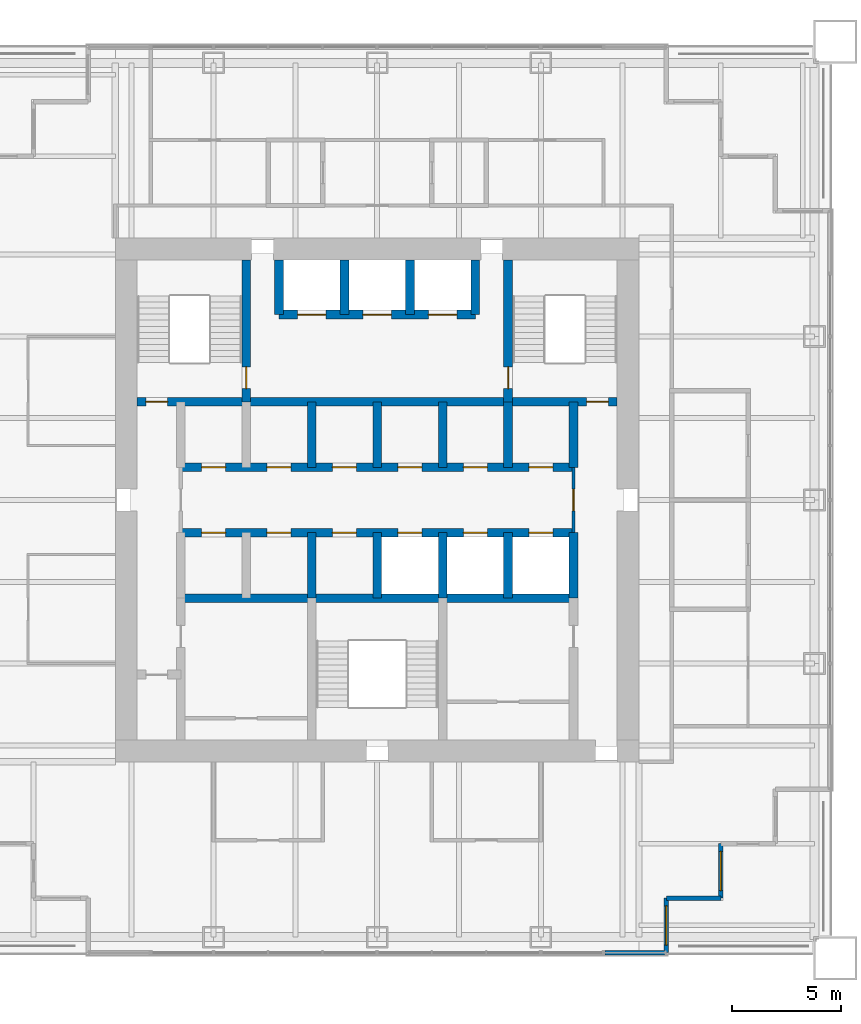
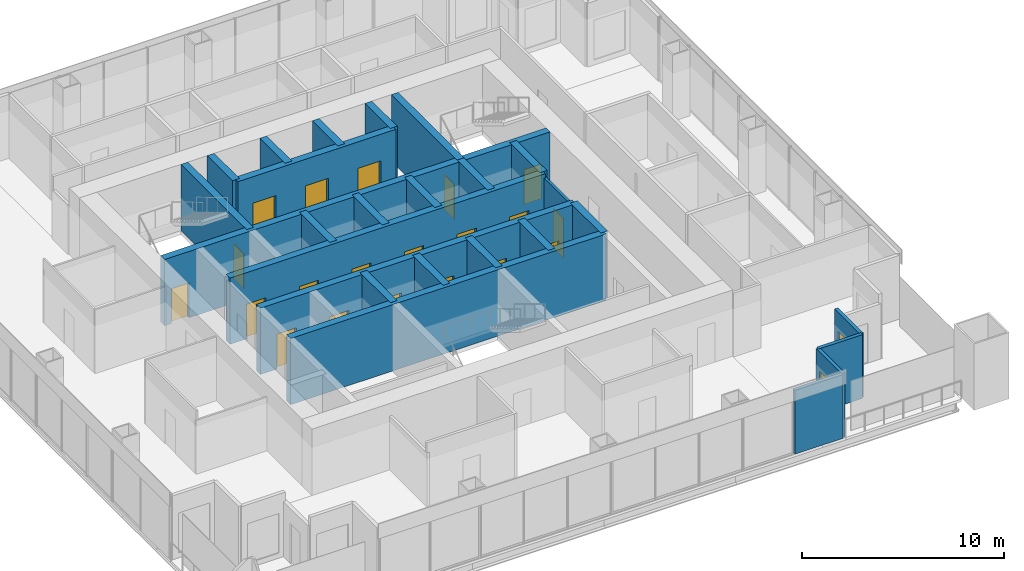
# One storey, part 10 of 14: 26 walls, 20 doors, 2 windows, 22 openings.
"""IFC4 building model written with IfcOpenShell, lengths in metres."""

import ifcopenshell
import ifcopenshell.guid

model = None  # the IFC model being written
_history = None  # IfcOwnerHistory: only IFC2X3 demands one
_inside = {}  # id of a spatial element -> (the spatial element, [elements in it])
_under = {}  # id of a project, library or spatial element -> (it, [spatial elements below it])
_declared = {}  # id of a project -> (the project, [libraries it declares])
_typed = {}  # id of a type object -> (the type object, [elements of that type])
_made_of = {}  # id of a material, layer set ... -> (it, [elements and type objects made of it])


def new_model(schema):
    """Start an empty IFC model of exactly this schema.

    Asked for "IFC4X3", IfcOpenShell would pick the latest addendum, in which some entities
    have other attributes; the version numbers below select the first issue.
    IFC2X3 requires an IfcOwnerHistory on every rooted entity: one is made here for all.
    """
    global model, _history
    if schema == "IFC4X3":
        model = ifcopenshell.file(schema_version=(4, 3, 0, 0))
    else:
        model = ifcopenshell.file(schema=schema)
    _inside.clear()
    _under.clear()
    _declared.clear()
    _typed.clear()
    _made_of.clear()
    _history = None
    if model.schema == "IFC2X3":
        org = make("IfcOrganization", Name="unknown")
        user = make(
            "IfcPersonAndOrganization",
            ThePerson=make("IfcPerson", FamilyName="unknown"),
            TheOrganization=org,
        )
        app = make(
            "IfcApplication",
            ApplicationDeveloper=org,
            Version="unknown",
            ApplicationFullName="unknown",
            ApplicationIdentifier="unknown",
        )
        _history = make(
            "IfcOwnerHistory",
            OwningUser=user,
            OwningApplication=app,
            ChangeAction="ADDED",
            CreationDate=0,
        )
    return model


def make(cls, **values):
    """One entity of the class cls with the attributes given. An attribute that is None is left unset."""
    return model.create_entity(
        cls, **{name: value for name, value in values.items() if value is not None}
    )


def rooted(cls, **values):
    """An entity with a GlobalId (a new one), such as an element, a storey or a relation."""
    return make(cls, GlobalId=ifcopenshell.guid.new(), OwnerHistory=_history, **values)


def si_unit(unit_type, name, prefix=None):
    """IfcSIUnit, for example si_unit("LENGTHUNIT", "METRE", prefix="MILLI")."""
    return make("IfcSIUnit", UnitType=unit_type, Prefix=prefix, Name=name)


def assignment(units):
    """IfcUnitAssignment: the units of a project."""
    return None if units is None else make("IfcUnitAssignment", Units=units)


def point(xyz):
    """IfcCartesianPoint."""
    return None if xyz is None else make("IfcCartesianPoint", Coordinates=xyz)


def direction(xyz):
    """IfcDirection."""
    return None if xyz is None else make("IfcDirection", DirectionRatios=xyz)


def frame(location, z_axis=None, x_axis=None):
    """IfcAxis2Placement3D, a coordinate frame: its origin and axes. An axis left out is left unset."""
    return make(
        "IfcAxis2Placement3D",
        Location=point(location),
        Axis=direction(z_axis),
        RefDirection=direction(x_axis),
    )


def frame_2d(location, x_axis=None):
    """IfcAxis2Placement2D, a coordinate frame in the plane: its origin and x axis."""
    return make(
        "IfcAxis2Placement2D", Location=point(location), RefDirection=direction(x_axis)
    )


def origin():
    """The frame at (0, 0, 0) with its axes left unset."""
    return frame((0.0, 0.0, 0.0))


def place(relative_to, where):
    """IfcLocalPlacement: puts the frame where relative to a parent placement (None: the world)."""
    return make(
        "IfcLocalPlacement", PlacementRelTo=relative_to, RelativePlacement=where
    )


def context(
    kind, dimensions, precision=None, world=None, true_north=None, identifier=None
):
    """IfcGeometricRepresentationContext, for example the 3D "Model" context."""
    return make(
        "IfcGeometricRepresentationContext",
        ContextIdentifier=identifier,
        ContextType=kind,
        CoordinateSpaceDimension=dimensions,
        Precision=precision,
        WorldCoordinateSystem=world,
        TrueNorth=true_north,
    )


def subcontext(parent, identifier, kind, view, scale=None):
    """IfcGeometricRepresentationSubContext, for example "Body" below "Model"."""
    return make(
        "IfcGeometricRepresentationSubContext",
        ContextIdentifier=identifier,
        ContextType=kind,
        ParentContext=parent,
        TargetScale=scale,
        TargetView=view,
    )


def project(units=None, contexts=None):
    """IfcProject with its units and contexts."""
    return rooted(
        "IfcProject",
        Name="project",
        RepresentationContexts=contexts,
        UnitsInContext=assignment(units),
    )


def spatial(cls, under=None, at=None, **own):
    """A site, building, storey or space (cls), placed at a placement, below another one or the project."""
    s = rooted(cls, ObjectPlacement=at, **own)
    if under is not None:
        _under.setdefault(under.id(), (under, []))[1].append(s)
    return s


def profile(cls, at=None, kind="AREA", **sizes):
    """A parametric profile (cls). Its sizes go by their IFC names, for example OverallWidth=200.0."""
    return make(cls, ProfileType=kind, Position=at, **sizes)


def rectangle(**sizes):
    """IfcRectangleProfileDef."""
    return profile("IfcRectangleProfileDef", **sizes)


def extrude(swept, where, along, depth):
    """IfcExtrudedAreaSolid: the profile swept, set in the frame where, extruded along a direction by depth."""
    return make(
        "IfcExtrudedAreaSolid",
        SweptArea=swept,
        Position=where,
        ExtrudedDirection=direction(along),
        Depth=depth,
    )


def shape(context_of_items, identifier, shape_type, items):
    """IfcShapeRepresentation: the items that make up one representation, for example the "Body"."""
    return make(
        "IfcShapeRepresentation",
        ContextOfItems=context_of_items,
        RepresentationIdentifier=identifier,
        RepresentationType=shape_type,
        Items=items,
    )


def material(Name=None, Category=None):
    """IfcMaterial."""
    return make("IfcMaterial", Name=Name, Category=Category)


def layer(
    of_material, thickness, ventilated=None, Name=None, Category=None, Priority=None
):
    """IfcMaterialLayer: one layer of a wall or slab, of a material (None: an air gap)."""
    return make(
        "IfcMaterialLayer",
        Material=of_material,
        LayerThickness=thickness,
        IsVentilated=ventilated,
        Name=Name,
        Category=Category,
        Priority=Priority,
    )


def layer_set(layers, Name=None):
    """IfcMaterialLayerSet."""
    return make("IfcMaterialLayerSet", MaterialLayers=layers, LayerSetName=Name)


def made_of(thing, what):
    """Note that an element or type object is made of a material, layer set ...; save() writes the relation."""
    if what is not None:
        _made_of.setdefault(what.id(), (what, []))[1].append(thing)
    return thing


def type_object(cls, material=None, **own):
    """A type object (cls), such as IfcWallType, which elements share."""
    return made_of(rooted(cls, **own), material)


def element(
    cls,
    number,
    at=None,
    inside=None,
    cuts=None,
    type_object=None,
    material=None,
    context=None,
    identifier="Body",
    shape_type=None,
    held_by="IfcProductDefinitionShape",
    body=None,
    shapes=None,
    **own,
):
    """One element of the class cls, such as IfcWall. Its Tag is "e" and its number.

    at: its placement. inside: the storey or other place that contains it. cuts: it is an
    opening in that element (IfcRelVoidsElement). A single representation is given by context,
    identifier, shape_type and body (its items); several are given by shapes. held_by: the class
    of the entity that holds the representations. save() writes the other relations.
    """
    e = rooted(cls, Tag="e%d" % number, ObjectPlacement=at, **own)
    if body is not None:
        shapes = [shape(context, identifier, shape_type, body)]
    if shapes is not None:
        e.Representation = make(held_by, Representations=shapes)
    if inside is not None:
        _inside.setdefault(inside.id(), (inside, []))[1].append(e)
    if cuts is not None:
        rooted(
            "IfcRelVoidsElement", RelatingBuildingElement=cuts, RelatedOpeningElement=e
        )
    if type_object is not None:
        _typed.setdefault(type_object.id(), (type_object, []))[1].append(e)
    return made_of(e, material)


def fill(opening, filler):
    """IfcRelFillsElement: the door or window that sits in an opening."""
    return rooted(
        "IfcRelFillsElement",
        RelatingOpeningElement=opening,
        RelatedBuildingElement=filler,
    )


def aggregate(whole, parts):
    """IfcRelAggregates: a whole, such as a stair, and the parts it consists of."""
    return rooted("IfcRelAggregates", RelatingObject=whole, RelatedObjects=parts)


def save(model, path):
    """Write the relations noted so far, then the file.

    IfcRelAggregates (storeys below a building ...), IfcRelContainedInSpatialStructure (elements
    in a storey), IfcRelDefinesByType, IfcRelAssociatesMaterial and IfcRelDeclares: one each for
    every whole, place, type object, material and project.
    """
    for whole, parts in _under.values():
        aggregate(whole, parts)
    for where, things in _inside.values():
        rooted(
            "IfcRelContainedInSpatialStructure",
            RelatedElements=things,
            RelatingStructure=where,
        )
    for kind, things in _typed.values():
        rooted("IfcRelDefinesByType", RelatedObjects=things, RelatingType=kind)
    for what, things in _made_of.values():
        rooted("IfcRelAssociatesMaterial", RelatedObjects=things, RelatingMaterial=what)
    for by, libraries in _declared.values():
        rooted("IfcRelDeclares", RelatingContext=by, RelatedDefinitions=libraries)
    model.write(path)


model = new_model("IFC4")

# Units and contexts
model_context = context("Model", 3, precision=1e-05, world=origin(), true_north=direction((0.0, 1.0)))
body_context = subcontext(model_context, "Body", "Model", "MODEL_VIEW")
ifc_project = project(units=[si_unit("LENGTHUNIT", "METRE"), si_unit("AREAUNIT", "SQUARE_METRE"), si_unit("VOLUMEUNIT", "CUBIC_METRE"), si_unit("PLANEANGLEUNIT", "RADIAN"), si_unit("MASSUNIT", "GRAM", prefix="KILO")], contexts=[model_context])

# Site, building, storey
site_placement = place(None, origin())
site = spatial("IfcSite", under=ifc_project, at=site_placement, CompositionType="ELEMENT")
building_placement = place(site_placement, origin())
building = spatial("IfcBuilding", under=site, at=building_placement, Name="Tarangal Relay Tower", CompositionType="ELEMENT")
storey_placement = place(building_placement, frame((0.0, 0.0, 327.89990234375)))
storey = spatial("IfcBuildingStorey", under=building, at=storey_placement, Name="L73", CompositionType="ELEMENT", Elevation=327.89990234375)

# Wall, openings, doors
ifc_material_1 = material(Name="Concrete fc' 60 MPa", Category="concrete")
ifc_layer_1 = layer(ifc_material_1, 0.39990234375)
ifc_layer_set_1 = layer_set([ifc_layer_1], Name="Core inner wall 400")
wall_type_1 = type_object("IfcWallType", Name="Core inner wall 400", PredefinedType="SHEAR", material=ifc_layer_set_1)
wall_1_placement = place(storey_placement, frame((-11.0, 4.5, 0.0), z_axis=(0.0, 0.0, 1.0), x_axis=(1.0, 0.0, 0.0)))
wall_1 = element("IfcWall", 1, at=wall_1_placement, inside=storey, type_object=wall_type_1, Name="Core wall Y45 L73", PredefinedType="SHEAR", context=body_context, shape_type="SweptSolid", body=[
    extrude(rectangle(XDim=22.0, YDim=0.39990234375, at=frame_2d((11.0, 0.0))), origin(), (0.0, 0.0, 1.0), 4.0),
])
opening_1_placement = place(wall_1_placement, frame((0.39990234375, 0.0, 0.0)))
opening_1 = element("IfcOpeningElement", 2, at=opening_1_placement, cuts=wall_1, Name="Opening FD1", PredefinedType="OPENING", context=body_context, shape_type="SweptSolid", body=[
    extrude(rectangle(XDim=1.0, YDim=2.10009765625, at=frame_2d((0.5, 1.050048828125))), frame((0.0, 0.2099609375, 0.0), z_axis=(0.0, -1.0, 0.0), x_axis=(1.0, 0.0, 0.0)), (0.0, 0.0, 1.0), 0.419921875),
])
opening_2_placement = place(wall_1_placement, frame((20.60009765625, 0.0, 0.0)))
opening_2 = element("IfcOpeningElement", 3, at=opening_2_placement, cuts=wall_1, Name="Opening FD1", PredefinedType="OPENING", context=body_context, shape_type="SweptSolid", body=[
    extrude(rectangle(XDim=1.0, YDim=2.10009765625, at=frame_2d((0.5, 1.050048828125))), frame((0.0, 0.2099609375, 0.0), z_axis=(0.0, -1.0, 0.0), x_axis=(1.0, 0.0, 0.0)), (0.0, 0.0, 1.0), 0.419921875),
])
ifc_material_2 = material(Name="Steel door with hardwood frame", Category="steel")
door_type_1 = type_object("IfcDoorType", Name="Fire door 1000 x 2100", OperationType="SINGLE_SWING_LEFT", PredefinedType="DOOR", material=ifc_material_2)
door_1_placement = place(opening_1_placement, origin())
door_1 = element("IfcDoor", 4, at=door_1_placement, inside=storey, type_object=door_type_1, Name="Stair ST-A door from corridor L73", OperationType="SINGLE_SWING_LEFT", OverallHeight=2.10009765625, OverallWidth=1.0, PredefinedType="DOOR", context=body_context, shape_type="SweptSolid", body=[
    extrude(rectangle(XDim=1.0, YDim=2.10009765625, at=frame_2d((0.5, 1.050048828125))), frame((0.0, 0.02490234375, 0.0), z_axis=(0.0, -1.0, 0.0), x_axis=(1.0, 0.0, 0.0)), (0.0, 0.0, 1.0), 0.050048828125),
])
fill(opening_1, door_1)
door_2_placement = place(opening_2_placement, origin())
door_2 = element("IfcDoor", 5, at=door_2_placement, inside=storey, type_object=door_type_1, Name="Stair ST-B door from corridor L73", OperationType="SINGLE_SWING_LEFT", OverallHeight=2.10009765625, OverallWidth=1.0, PredefinedType="DOOR", context=body_context, shape_type="SweptSolid", body=[
    extrude(rectangle(XDim=1.0, YDim=2.10009765625, at=frame_2d((0.5, 1.050048828125))), frame((0.0, 0.02490234375, 0.0), z_axis=(0.0, -1.0, 0.0), x_axis=(1.0, 0.0, 0.0)), (0.0, 0.0, 1.0), 0.050048828125),
])
fill(opening_2, door_2)

wall_2_placement = place(storey_placement, frame((-9.0, 1.5, 0.0), z_axis=(0.0, 0.0, 1.0), x_axis=(1.0, 0.0, 0.0)))
wall_2 = element("IfcWall", 6, at=wall_2_placement, inside=storey, type_object=wall_type_1, Name="Core wall Y15 L73", PredefinedType="SHEAR", context=body_context, shape_type="SweptSolid", body=[
    extrude(rectangle(XDim=18.0, YDim=0.39990234375, at=frame_2d((9.0, 0.0))), origin(), (0.0, 0.0, 1.0), 4.0),
])
opening_3_placement = place(wall_2_placement, frame((0.949951171875, 0.0, 0.0)))
opening_3 = element("IfcOpeningElement", 7, at=opening_3_placement, cuts=wall_2, Name="Opening D4", PredefinedType="OPENING", context=body_context, shape_type="SweptSolid", body=[
    extrude(rectangle(XDim=1.10009765625, YDim=2.10009765625, at=frame_2d((0.550048828125, 1.050048828125))), frame((0.0, 0.2099609375, 0.0), z_axis=(0.0, -1.0, 0.0), x_axis=(1.0, 0.0, 0.0)), (0.0, 0.0, 1.0), 0.419921875),
])
opening_4_placement = place(wall_2_placement, frame((3.949951171875, 0.0, 0.0)))
opening_4 = element("IfcOpeningElement", 8, at=opening_4_placement, cuts=wall_2, Name="Opening D4", PredefinedType="OPENING", context=body_context, shape_type="SweptSolid", body=[
    extrude(rectangle(XDim=1.10009765625, YDim=2.10009765625, at=frame_2d((0.550048828125, 1.050048828125))), frame((0.0, 0.2099609375, 0.0), z_axis=(0.0, -1.0, 0.0), x_axis=(1.0, 0.0, 0.0)), (0.0, 0.0, 1.0), 0.419921875),
])
opening_5_placement = place(wall_2_placement, frame((6.949951171875, 0.0, 0.0)))
opening_5 = element("IfcOpeningElement", 9, at=opening_5_placement, cuts=wall_2, Name="Opening D4", PredefinedType="OPENING", context=body_context, shape_type="SweptSolid", body=[
    extrude(rectangle(XDim=1.10009765625, YDim=2.10009765625, at=frame_2d((0.550048828125, 1.050048828125))), frame((0.0, 0.2099609375, 0.0), z_axis=(0.0, -1.0, 0.0), x_axis=(1.0, 0.0, 0.0)), (0.0, 0.0, 1.0), 0.419921875),
])
opening_6_placement = place(wall_2_placement, frame((9.949951171875, 0.0, 0.0)))
opening_6 = element("IfcOpeningElement", 10, at=opening_6_placement, cuts=wall_2, Name="Opening D4", PredefinedType="OPENING", context=body_context, shape_type="SweptSolid", body=[
    extrude(rectangle(XDim=1.10009765625, YDim=2.10009765625, at=frame_2d((0.550048828125, 1.050048828125))), frame((0.0, 0.2099609375, 0.0), z_axis=(0.0, -1.0, 0.0), x_axis=(1.0, 0.0, 0.0)), (0.0, 0.0, 1.0), 0.419921875),
])
opening_7_placement = place(wall_2_placement, frame((12.949951171875, 0.0, 0.0)))
opening_7 = element("IfcOpeningElement", 11, at=opening_7_placement, cuts=wall_2, Name="Opening D4", PredefinedType="OPENING", context=body_context, shape_type="SweptSolid", body=[
    extrude(rectangle(XDim=1.10009765625, YDim=2.10009765625, at=frame_2d((0.550048828125, 1.050048828125))), frame((0.0, 0.2099609375, 0.0), z_axis=(0.0, -1.0, 0.0), x_axis=(1.0, 0.0, 0.0)), (0.0, 0.0, 1.0), 0.419921875),
])
opening_8_placement = place(wall_2_placement, frame((15.949951171875, 0.0, 0.0)))
opening_8 = element("IfcOpeningElement", 12, at=opening_8_placement, cuts=wall_2, Name="Opening D4", PredefinedType="OPENING", context=body_context, shape_type="SweptSolid", body=[
    extrude(rectangle(XDim=1.10009765625, YDim=2.10009765625, at=frame_2d((0.550048828125, 1.050048828125))), frame((0.0, 0.2099609375, 0.0), z_axis=(0.0, -1.0, 0.0), x_axis=(1.0, 0.0, 0.0)), (0.0, 0.0, 1.0), 0.419921875),
])
door_type_2 = type_object("IfcDoorType", Name="Core room door 1100 x 2100", OperationType="SINGLE_SWING_RIGHT", PredefinedType="DOOR", material=ifc_material_2)
door_3_placement = place(opening_3_placement, origin())
door_3 = element("IfcDoor", 13, at=door_3_placement, inside=storey, type_object=door_type_2, Name="Door D4 to staff wc L73-D1", OperationType="SINGLE_SWING_RIGHT", OverallHeight=2.10009765625, OverallWidth=1.10009765625, PredefinedType="DOOR", context=body_context, shape_type="SweptSolid", body=[
    extrude(rectangle(XDim=1.10009765625, YDim=2.10009765625, at=frame_2d((0.550048828125, 1.050048828125))), frame((0.0, 0.02490234375, 0.0), z_axis=(0.0, -1.0, 0.0), x_axis=(1.0, 0.0, 0.0)), (0.0, 0.0, 1.0), 0.050048828125),
])
fill(opening_3, door_3)
door_4_placement = place(opening_4_placement, origin())
door_4 = element("IfcDoor", 14, at=door_4_placement, inside=storey, type_object=door_type_2, Name="Door D4 to staff pantry L73-D2", OperationType="SINGLE_SWING_RIGHT", OverallHeight=2.10009765625, OverallWidth=1.10009765625, PredefinedType="DOOR", context=body_context, shape_type="SweptSolid", body=[
    extrude(rectangle(XDim=1.10009765625, YDim=2.10009765625, at=frame_2d((0.550048828125, 1.050048828125))), frame((0.0, 0.02490234375, 0.0), z_axis=(0.0, -1.0, 0.0), x_axis=(1.0, 0.0, 0.0)), (0.0, 0.0, 1.0), 0.050048828125),
])
fill(opening_4, door_4)
door_5_placement = place(opening_5_placement, origin())
door_5 = element("IfcDoor", 15, at=door_5_placement, inside=storey, type_object=door_type_2, Name="Door D4 to it room L73-D3", OperationType="SINGLE_SWING_RIGHT", OverallHeight=2.10009765625, OverallWidth=1.10009765625, PredefinedType="DOOR", context=body_context, shape_type="SweptSolid", body=[
    extrude(rectangle(XDim=1.10009765625, YDim=2.10009765625, at=frame_2d((0.550048828125, 1.050048828125))), frame((0.0, 0.02490234375, 0.0), z_axis=(0.0, -1.0, 0.0), x_axis=(1.0, 0.0, 0.0)), (0.0, 0.0, 1.0), 0.050048828125),
])
fill(opening_5, door_5)
door_6_placement = place(opening_6_placement, origin())
door_6 = element("IfcDoor", 16, at=door_6_placement, inside=storey, type_object=door_type_2, Name="Door D4 to cleaner's store L73-T1", OperationType="SINGLE_SWING_RIGHT", OverallHeight=2.10009765625, OverallWidth=1.10009765625, PredefinedType="DOOR", context=body_context, shape_type="SweptSolid", body=[
    extrude(rectangle(XDim=1.10009765625, YDim=2.10009765625, at=frame_2d((0.550048828125, 1.050048828125))), frame((0.0, 0.02490234375, 0.0), z_axis=(0.0, -1.0, 0.0), x_axis=(1.0, 0.0, 0.0)), (0.0, 0.0, 1.0), 0.050048828125),
])
fill(opening_6, door_6)
door_7_placement = place(opening_7_placement, origin())
door_7 = element("IfcDoor", 17, at=door_7_placement, inside=storey, type_object=door_type_2, Name="Door D4 to staff wc L73-T2", OperationType="SINGLE_SWING_RIGHT", OverallHeight=2.10009765625, OverallWidth=1.10009765625, PredefinedType="DOOR", context=body_context, shape_type="SweptSolid", body=[
    extrude(rectangle(XDim=1.10009765625, YDim=2.10009765625, at=frame_2d((0.550048828125, 1.050048828125))), frame((0.0, 0.02490234375, 0.0), z_axis=(0.0, -1.0, 0.0), x_axis=(1.0, 0.0, 0.0)), (0.0, 0.0, 1.0), 0.050048828125),
])
fill(opening_7, door_7)
door_8_placement = place(opening_8_placement, origin())
door_8 = element("IfcDoor", 18, at=door_8_placement, inside=storey, type_object=door_type_2, Name="Door D4 to staff pantry L73-T3", OperationType="SINGLE_SWING_RIGHT", OverallHeight=2.10009765625, OverallWidth=1.10009765625, PredefinedType="DOOR", context=body_context, shape_type="SweptSolid", body=[
    extrude(rectangle(XDim=1.10009765625, YDim=2.10009765625, at=frame_2d((0.550048828125, 1.050048828125))), frame((0.0, 0.02490234375, 0.0), z_axis=(0.0, -1.0, 0.0), x_axis=(1.0, 0.0, 0.0)), (0.0, 0.0, 1.0), 0.050048828125),
])
fill(opening_8, door_8)

wall_3_placement = place(storey_placement, frame((-9.0, -1.5, 0.0), z_axis=(0.0, 0.0, 1.0), x_axis=(1.0, 0.0, 0.0)))
wall_3 = element("IfcWall", 19, at=wall_3_placement, inside=storey, type_object=wall_type_1, Name="Core wall YM15 L73", PredefinedType="SHEAR", context=body_context, shape_type="SweptSolid", body=[
    extrude(rectangle(XDim=18.0, YDim=0.39990234375, at=frame_2d((9.0, 0.0))), origin(), (0.0, 0.0, 1.0), 4.0),
])
opening_9_placement = place(wall_3_placement, frame((9.949951171875, 0.0, 0.0)))
opening_9 = element("IfcOpeningElement", 20, at=opening_9_placement, cuts=wall_3, Name="Opening LD1", PredefinedType="OPENING", context=body_context, shape_type="SweptSolid", body=[
    extrude(rectangle(XDim=1.10009765625, YDim=2.10009765625, at=frame_2d((0.550048828125, 1.050048828125))), frame((0.0, 0.2099609375, 0.0), z_axis=(0.0, -1.0, 0.0), x_axis=(1.0, 0.0, 0.0)), (0.0, 0.0, 1.0), 0.419921875),
])
opening_10_placement = place(wall_3_placement, frame((12.949951171875, 0.0, 0.0)))
opening_10 = element("IfcOpeningElement", 21, at=opening_10_placement, cuts=wall_3, Name="Opening LD1", PredefinedType="OPENING", context=body_context, shape_type="SweptSolid", body=[
    extrude(rectangle(XDim=1.10009765625, YDim=2.10009765625, at=frame_2d((0.550048828125, 1.050048828125))), frame((0.0, 0.2099609375, 0.0), z_axis=(0.0, -1.0, 0.0), x_axis=(1.0, 0.0, 0.0)), (0.0, 0.0, 1.0), 0.419921875),
])
opening_11_placement = place(wall_3_placement, frame((15.949951171875, 0.0, 0.0)))
opening_11 = element("IfcOpeningElement", 22, at=opening_11_placement, cuts=wall_3, Name="Opening LD1", PredefinedType="OPENING", context=body_context, shape_type="SweptSolid", body=[
    extrude(rectangle(XDim=1.10009765625, YDim=2.10009765625, at=frame_2d((0.550048828125, 1.050048828125))), frame((0.0, 0.2099609375, 0.0), z_axis=(0.0, -1.0, 0.0), x_axis=(1.0, 0.0, 0.0)), (0.0, 0.0, 1.0), 0.419921875),
])
opening_12_placement = place(wall_3_placement, frame((0.949951171875, 0.0, 0.0)))
opening_12 = element("IfcOpeningElement", 23, at=opening_12_placement, cuts=wall_3, Name="Opening D4", PredefinedType="OPENING", context=body_context, shape_type="SweptSolid", body=[
    extrude(rectangle(XDim=1.10009765625, YDim=2.10009765625, at=frame_2d((0.550048828125, 1.050048828125))), frame((0.0, 0.2099609375, 0.0), z_axis=(0.0, -1.0, 0.0), x_axis=(1.0, 0.0, 0.0)), (0.0, 0.0, 1.0), 0.419921875),
])
opening_13_placement = place(wall_3_placement, frame((3.949951171875, 0.0, 0.0)))
opening_13 = element("IfcOpeningElement", 24, at=opening_13_placement, cuts=wall_3, Name="Opening D4", PredefinedType="OPENING", context=body_context, shape_type="SweptSolid", body=[
    extrude(rectangle(XDim=1.10009765625, YDim=2.10009765625, at=frame_2d((0.550048828125, 1.050048828125))), frame((0.0, 0.2099609375, 0.0), z_axis=(0.0, -1.0, 0.0), x_axis=(1.0, 0.0, 0.0)), (0.0, 0.0, 1.0), 0.419921875),
])
opening_14_placement = place(wall_3_placement, frame((6.949951171875, 0.0, 0.0)))
opening_14 = element("IfcOpeningElement", 25, at=opening_14_placement, cuts=wall_3, Name="Opening D4", PredefinedType="OPENING", context=body_context, shape_type="SweptSolid", body=[
    extrude(rectangle(XDim=1.10009765625, YDim=2.10009765625, at=frame_2d((0.550048828125, 1.050048828125))), frame((0.0, 0.2099609375, 0.0), z_axis=(0.0, -1.0, 0.0), x_axis=(1.0, 0.0, 0.0)), (0.0, 0.0, 1.0), 0.419921875),
])
door_9_placement = place(opening_12_placement, origin())
door_9 = element("IfcDoor", 26, at=door_9_placement, inside=storey, type_object=door_type_2, Name="Door D4 to it room L73-S1", OperationType="SINGLE_SWING_RIGHT", OverallHeight=2.10009765625, OverallWidth=1.10009765625, PredefinedType="DOOR", context=body_context, shape_type="SweptSolid", body=[
    extrude(rectangle(XDim=1.10009765625, YDim=2.10009765625, at=frame_2d((0.550048828125, 1.050048828125))), frame((0.0, 0.02490234375, 0.0), z_axis=(0.0, -1.0, 0.0), x_axis=(1.0, 0.0, 0.0)), (0.0, 0.0, 1.0), 0.050048828125),
])
fill(opening_12, door_9)
door_10_placement = place(opening_13_placement, origin())
door_10 = element("IfcDoor", 27, at=door_10_placement, inside=storey, type_object=door_type_2, Name="Door D4 to cleaner's store L73-S2", OperationType="SINGLE_SWING_RIGHT", OverallHeight=2.10009765625, OverallWidth=1.10009765625, PredefinedType="DOOR", context=body_context, shape_type="SweptSolid", body=[
    extrude(rectangle(XDim=1.10009765625, YDim=2.10009765625, at=frame_2d((0.550048828125, 1.050048828125))), frame((0.0, 0.02490234375, 0.0), z_axis=(0.0, -1.0, 0.0), x_axis=(1.0, 0.0, 0.0)), (0.0, 0.0, 1.0), 0.050048828125),
])
fill(opening_13, door_10)
door_11_placement = place(opening_14_placement, origin())
door_11 = element("IfcDoor", 28, at=door_11_placement, inside=storey, type_object=door_type_2, Name="Door D4 to staff wc L73-S3", OperationType="SINGLE_SWING_RIGHT", OverallHeight=2.10009765625, OverallWidth=1.10009765625, PredefinedType="DOOR", context=body_context, shape_type="SweptSolid", body=[
    extrude(rectangle(XDim=1.10009765625, YDim=2.10009765625, at=frame_2d((0.550048828125, 1.050048828125))), frame((0.0, 0.02490234375, 0.0), z_axis=(0.0, -1.0, 0.0), x_axis=(1.0, 0.0, 0.0)), (0.0, 0.0, 1.0), 0.050048828125),
])
fill(opening_14, door_11)
door_type_3 = type_object("IfcDoorType", Name="Lift landing door 1100 x 2100", OperationType="SLIDING_TO_LEFT", PredefinedType="DOOR", material=ifc_material_2)
door_12_placement = place(opening_9_placement, origin())
door_12 = element("IfcDoor", 29, at=door_12_placement, inside=storey, type_object=door_type_3, Name="Lift OH1 landing door L73", OperationType="SLIDING_TO_LEFT", OverallHeight=2.10009765625, OverallWidth=1.10009765625, PredefinedType="DOOR", context=body_context, shape_type="SweptSolid", body=[
    extrude(rectangle(XDim=1.10009765625, YDim=2.10009765625, at=frame_2d((0.550048828125, 1.050048828125))), frame((0.0, 0.02490234375, 0.0), z_axis=(0.0, -1.0, 0.0), x_axis=(1.0, 0.0, 0.0)), (0.0, 0.0, 1.0), 0.050048828125),
])
fill(opening_9, door_12)
door_13_placement = place(opening_10_placement, origin())
door_13 = element("IfcDoor", 30, at=door_13_placement, inside=storey, type_object=door_type_3, Name="Lift OH2 landing door L73", OperationType="SLIDING_TO_LEFT", OverallHeight=2.10009765625, OverallWidth=1.10009765625, PredefinedType="DOOR", context=body_context, shape_type="SweptSolid", body=[
    extrude(rectangle(XDim=1.10009765625, YDim=2.10009765625, at=frame_2d((0.550048828125, 1.050048828125))), frame((0.0, 0.02490234375, 0.0), z_axis=(0.0, -1.0, 0.0), x_axis=(1.0, 0.0, 0.0)), (0.0, 0.0, 1.0), 0.050048828125),
])
fill(opening_10, door_13)
door_14_placement = place(opening_11_placement, origin())
door_14 = element("IfcDoor", 31, at=door_14_placement, inside=storey, type_object=door_type_3, Name="Lift OH3 landing door L73", OperationType="SLIDING_TO_LEFT", OverallHeight=2.10009765625, OverallWidth=1.10009765625, PredefinedType="DOOR", context=body_context, shape_type="SweptSolid", body=[
    extrude(rectangle(XDim=1.10009765625, YDim=2.10009765625, at=frame_2d((0.550048828125, 1.050048828125))), frame((0.0, 0.02490234375, 0.0), z_axis=(0.0, -1.0, 0.0), x_axis=(1.0, 0.0, 0.0)), (0.0, 0.0, 1.0), 0.050048828125),
])
fill(opening_11, door_14)

# Wall
wall_4_placement = place(storey_placement, frame((-9.0, -4.5, 0.0), z_axis=(0.0, 0.0, 1.0), x_axis=(1.0, 0.0, 0.0)))
element("IfcWall", 32, at=wall_4_placement, inside=storey, type_object=wall_type_1, Name="Core wall YM45 L73", PredefinedType="SHEAR", context=body_context, shape_type="SweptSolid", body=[
    extrude(rectangle(XDim=18.0, YDim=0.39990234375, at=frame_2d((9.0, 0.0))), origin(), (0.0, 0.0, 1.0), 4.0),
])

# Wall, openings, doors
wall_5_placement = place(storey_placement, frame((-4.5, 8.5, 0.0), z_axis=(0.0, 0.0, 1.0), x_axis=(1.0, 0.0, 0.0)))
wall_5 = element("IfcWall", 33, at=wall_5_placement, inside=storey, type_object=wall_type_1, Name="Core wall Y85 L73", PredefinedType="SHEAR", context=body_context, shape_type="SweptSolid", body=[
    extrude(rectangle(XDim=9.0, YDim=0.39990234375, at=frame_2d((4.5, 0.0))), origin(), (0.0, 0.0, 1.0), 4.0),
])
opening_15_placement = place(wall_5_placement, frame((0.85009765625, 0.0, 0.0)))
opening_15 = element("IfcOpeningElement", 34, at=opening_15_placement, cuts=wall_5, Name="Opening LD2", PredefinedType="OPENING", context=body_context, shape_type="SweptSolid", body=[
    extrude(rectangle(XDim=1.300048828125, YDim=2.39990234375, at=frame_2d((0.64990234375, 1.199951171875))), frame((0.0, 0.2099609375, 0.0), z_axis=(0.0, -1.0, 0.0), x_axis=(1.0, 0.0, 0.0)), (0.0, 0.0, 1.0), 0.419921875),
])
opening_16_placement = place(wall_5_placement, frame((6.85009765625, 0.0, 0.0)))
opening_16 = element("IfcOpeningElement", 35, at=opening_16_placement, cuts=wall_5, Name="Opening LD2", PredefinedType="OPENING", context=body_context, shape_type="SweptSolid", body=[
    extrude(rectangle(XDim=1.300048828125, YDim=2.39990234375, at=frame_2d((0.64990234375, 1.199951171875))), frame((0.0, 0.2099609375, 0.0), z_axis=(0.0, -1.0, 0.0), x_axis=(1.0, 0.0, 0.0)), (0.0, 0.0, 1.0), 0.419921875),
])
opening_17_placement = place(wall_5_placement, frame((3.85009765625, 0.0, 0.0)))
opening_17 = element("IfcOpeningElement", 36, at=opening_17_placement, cuts=wall_5, Name="Opening LD2", PredefinedType="OPENING", context=body_context, shape_type="SweptSolid", body=[
    extrude(rectangle(XDim=1.300048828125, YDim=2.39990234375, at=frame_2d((0.64990234375, 1.199951171875))), frame((0.0, 0.2099609375, 0.0), z_axis=(0.0, -1.0, 0.0), x_axis=(1.0, 0.0, 0.0)), (0.0, 0.0, 1.0), 0.419921875),
])
door_type_4 = type_object("IfcDoorType", Name="Lift landing door 1300 x 2400", OperationType="SLIDING_TO_LEFT", PredefinedType="DOOR", material=ifc_material_2)
door_15_placement = place(opening_15_placement, origin())
door_15 = element("IfcDoor", 37, at=door_15_placement, inside=storey, type_object=door_type_4, Name="Lift FF1 landing door L73", OperationType="SLIDING_TO_LEFT", OverallHeight=2.39990234375, OverallWidth=1.300048828125, PredefinedType="DOOR", context=body_context, shape_type="SweptSolid", body=[
    extrude(rectangle(XDim=1.300048828125, YDim=2.39990234375, at=frame_2d((0.64990234375, 1.199951171875))), frame((0.0, 0.02490234375, 0.0), z_axis=(0.0, -1.0, 0.0), x_axis=(1.0, 0.0, 0.0)), (0.0, 0.0, 1.0), 0.050048828125),
])
fill(opening_15, door_15)
door_16_placement = place(opening_16_placement, origin())
door_16 = element("IfcDoor", 38, at=door_16_placement, inside=storey, type_object=door_type_4, Name="Lift FF2 landing door L73", OperationType="SLIDING_TO_LEFT", OverallHeight=2.39990234375, OverallWidth=1.300048828125, PredefinedType="DOOR", context=body_context, shape_type="SweptSolid", body=[
    extrude(rectangle(XDim=1.300048828125, YDim=2.39990234375, at=frame_2d((0.64990234375, 1.199951171875))), frame((0.0, 0.02490234375, 0.0), z_axis=(0.0, -1.0, 0.0), x_axis=(1.0, 0.0, 0.0)), (0.0, 0.0, 1.0), 0.050048828125),
])
fill(opening_16, door_16)
door_17_placement = place(opening_17_placement, origin())
door_17 = element("IfcDoor", 39, at=door_17_placement, inside=storey, type_object=door_type_4, Name="Lift SV1 landing door L73", OperationType="SLIDING_TO_LEFT", OverallHeight=2.39990234375, OverallWidth=1.300048828125, PredefinedType="DOOR", context=body_context, shape_type="SweptSolid", body=[
    extrude(rectangle(XDim=1.300048828125, YDim=2.39990234375, at=frame_2d((0.64990234375, 1.199951171875))), frame((0.0, 0.02490234375, 0.0), z_axis=(0.0, -1.0, 0.0), x_axis=(1.0, 0.0, 0.0)), (0.0, 0.0, 1.0), 0.050048828125),
])
fill(opening_17, door_17)

# Walls
for number, where, z_axis, x_axis, name in (
    (40, (9.0, 1.5, 0.0), (0.0, 0.0, 1.0), (0.0, 1.0, 0.0), "Core wall X9N L73"),
    (41, (9.0, -4.5, 0.0), (0.0, 0.0, 1.0), (0.0, 1.0, 0.0), "Core wall X9S L73"),
    (42, (-3.0, 1.5, 0.0), (0.0, 0.0, 1.0), (0.0, 1.0, 0.0), "Core wall XM3N L73"),
    (43, (0.0, 1.5, 0.0), (0.0, 0.0, 1.0), (0.0, 1.0, 0.0), "Core wall X0N L73"),
    (44, (3.0, 1.5, 0.0), (0.0, 0.0, 1.0), (0.0, 1.0, 0.0), "Core wall X3N L73"),
    (45, (6.0, 1.5, 0.0), (0.0, 0.0, 1.0), (0.0, 1.0, 0.0), "Core wall X6N L73"),
    (46, (-3.0, -4.5, 0.0), (0.0, 0.0, 1.0), (0.0, 1.0, 0.0), "Core wall XM3S L73"),
    (47, (0.0, -4.5, 0.0), (0.0, 0.0, 1.0), (0.0, 1.0, 0.0), "Core wall X0S L73"),
    (48, (3.0, -4.5, 0.0), (0.0, 0.0, 1.0), (0.0, 1.0, 0.0), "Core wall X3S L73"),
    (49, (6.0, -4.5, 0.0), (0.0, 0.0, 1.0), (0.0, 1.0, 0.0), "Core wall X6S L73"),
):
    element("IfcWall", number, at=place(storey_placement, frame(where, z_axis=z_axis, x_axis=x_axis)), inside=storey, type_object=wall_type_1, Name=name, PredefinedType="SHEAR", context=body_context, shape_type="SweptSolid", body=[
        extrude(rectangle(XDim=3.0, YDim=0.39990234375, at=frame_2d((1.5, 0.0))), origin(), (0.0, 0.0, 1.0), 4.0),
    ])

# Wall, opening, door
wall_6_placement = place(storey_placement, frame((-6.0, 4.5, 0.0), z_axis=(0.0, 0.0, 1.0), x_axis=(0.0, 1.0, 0.0)))
wall_6 = element("IfcWall", 50, at=wall_6_placement, inside=storey, type_object=wall_type_1, Name="Core wall XM6 L73", PredefinedType="SHEAR", context=body_context, shape_type="SweptSolid", body=[
    extrude(rectangle(XDim=6.5, YDim=0.39990234375, at=frame_2d((3.25, 0.0))), origin(), (0.0, 0.0, 1.0), 4.0),
])
opening_18_placement = place(wall_6_placement, frame((0.60009765625, 0.0, 0.0)))
opening_18 = element("IfcOpeningElement", 51, at=opening_18_placement, cuts=wall_6, Name="Opening FD1", PredefinedType="OPENING", context=body_context, shape_type="SweptSolid", body=[
    extrude(rectangle(XDim=1.0, YDim=2.10009765625, at=frame_2d((0.5, 1.050048828125))), frame((0.0, 0.2099609375, 0.0), z_axis=(0.0, -1.0, 0.0), x_axis=(1.0, 0.0, 0.0)), (0.0, 0.0, 1.0), 0.419921875),
])
door_18_placement = place(opening_18_placement, origin())
door_18 = element("IfcDoor", 52, at=door_18_placement, inside=storey, type_object=door_type_1, Name="Stair ST-A door from fire-fighting lobby L73", OperationType="SINGLE_SWING_LEFT", OverallHeight=2.10009765625, OverallWidth=1.0, PredefinedType="DOOR", context=body_context, shape_type="SweptSolid", body=[
    extrude(rectangle(XDim=1.0, YDim=2.10009765625, at=frame_2d((0.5, 1.050048828125))), frame((0.0, 0.02490234375, 0.0), z_axis=(0.0, -1.0, 0.0), x_axis=(1.0, 0.0, 0.0)), (0.0, 0.0, 1.0), 0.050048828125),
])
fill(opening_18, door_18)

wall_7_placement = place(storey_placement, frame((6.0, 4.5, 0.0), z_axis=(0.0, 0.0, 1.0), x_axis=(0.0, 1.0, 0.0)))
wall_7 = element("IfcWall", 53, at=wall_7_placement, inside=storey, type_object=wall_type_1, Name="Core wall X6 L73", PredefinedType="SHEAR", context=body_context, shape_type="SweptSolid", body=[
    extrude(rectangle(XDim=6.5, YDim=0.39990234375, at=frame_2d((3.25, 0.0))), origin(), (0.0, 0.0, 1.0), 4.0),
])
opening_19_placement = place(wall_7_placement, frame((0.60009765625, 0.0, 0.0)))
opening_19 = element("IfcOpeningElement", 54, at=opening_19_placement, cuts=wall_7, Name="Opening FD1", PredefinedType="OPENING", context=body_context, shape_type="SweptSolid", body=[
    extrude(rectangle(XDim=1.0, YDim=2.10009765625, at=frame_2d((0.5, 1.050048828125))), frame((0.0, 0.2099609375, 0.0), z_axis=(0.0, -1.0, 0.0), x_axis=(1.0, 0.0, 0.0)), (0.0, 0.0, 1.0), 0.419921875),
])
door_19_placement = place(opening_19_placement, origin())
door_19 = element("IfcDoor", 55, at=door_19_placement, inside=storey, type_object=door_type_1, Name="Stair ST-B door from fire-fighting lobby L73", OperationType="SINGLE_SWING_LEFT", OverallHeight=2.10009765625, OverallWidth=1.0, PredefinedType="DOOR", context=body_context, shape_type="SweptSolid", body=[
    extrude(rectangle(XDim=1.0, YDim=2.10009765625, at=frame_2d((0.5, 1.050048828125))), frame((0.0, 0.02490234375, 0.0), z_axis=(0.0, -1.0, 0.0), x_axis=(1.0, 0.0, 0.0)), (0.0, 0.0, 1.0), 0.050048828125),
])
fill(opening_19, door_19)

# Walls
for number, where, z_axis, x_axis, name in (
    (56, (-4.5, 8.5, 0.0), (0.0, 0.0, 1.0), (0.0, 1.0, 0.0), "Core wall XM45 L73"),
    (57, (4.5, 8.5, 0.0), (0.0, 0.0, 1.0), (0.0, 1.0, 0.0), "Core wall X45 L73"),
    (58, (-1.5, 8.5, 0.0), (0.0, 0.0, 1.0), (0.0, 1.0, 0.0), "Core wall XM15 L73"),
    (59, (1.5, 8.5, 0.0), (0.0, 0.0, 1.0), (0.0, 1.0, 0.0), "Core wall X15 L73"),
):
    element("IfcWall", number, at=place(storey_placement, frame(where, z_axis=z_axis, x_axis=x_axis)), inside=storey, type_object=wall_type_1, Name=name, PredefinedType="SHEAR", context=body_context, shape_type="SweptSolid", body=[
        extrude(rectangle(XDim=2.5, YDim=0.39990234375, at=frame_2d((1.25, 0.0))), origin(), (0.0, 0.0, 1.0), 4.0),
    ])

# Wall, opening, window
ifc_material_3 = material(Name="Black metal clad insulated wall", Category="steel")
ifc_layer_2 = layer(ifc_material_3, 0.199951171875)
ifc_layer_set_2 = layer_set([ifc_layer_2], Name="Corner wall metal clad 200")
wall_type_2 = type_object("IfcWallType", Name="Corner wall metal clad 200", PredefinedType="SOLIDWALL", material=ifc_layer_set_2)
wall_8_placement = place(storey_placement, frame((15.75, -15.75, 0.0), z_axis=(0.0, 0.0, 1.0), x_axis=(0.0, -1.0, 0.0)))
wall_8 = element("IfcWall", 60, at=wall_8_placement, inside=storey, type_object=wall_type_2, Name="Facade wall E facade L73", PredefinedType="SOLIDWALL", context=body_context, shape_type="SweptSolid", body=[
    extrude(rectangle(XDim=2.5, YDim=0.199951171875, at=frame_2d((1.25, 0.0))), origin(), (0.0, 0.0, 1.0), 3.85009765625),
])
opening_20_placement = place(wall_8_placement, frame((0.35009765625, 0.0, 0.300048828125)))
opening_20 = element("IfcOpeningElement", 61, at=opening_20_placement, cuts=wall_8, Name="Opening WN2", PredefinedType="OPENING", context=body_context, shape_type="SweptSolid", body=[
    extrude(rectangle(XDim=1.800048828125, YDim=2.39990234375, at=frame_2d((0.89990234375, 1.199951171875))), frame((0.0, 0.10986328125, 0.0), z_axis=(0.0, -1.0, 0.0), x_axis=(1.0, 0.0, 0.0)), (0.0, 0.0, 1.0), 0.219970703125),
])
ifc_material_4 = material(Name="Dark tinted double glazing in black aluminium frame", Category="aluminium")
window_type = type_object("IfcWindowType", Name="Corner window 1800 x 2400", PartitioningType="SINGLE_PANEL", PredefinedType="WINDOW", material=ifc_material_4)
window_1_placement = place(opening_20_placement, origin())
window_1 = element("IfcWindow", 62, at=window_1_placement, inside=storey, type_object=window_type, Name="Corner window WN2 E facade L73", OverallHeight=2.39990234375, OverallWidth=1.800048828125, PartitioningType="SINGLE_PANEL", PredefinedType="WINDOW", context=body_context, shape_type="SweptSolid", body=[
    extrude(rectangle(XDim=1.800048828125, YDim=2.39990234375, at=frame_2d((0.89990234375, 1.199951171875))), frame((0.0, 0.030029296875, 0.0), z_axis=(0.0, -1.0, 0.0), x_axis=(1.0, 0.0, 0.0)), (0.0, 0.0, 1.0), 0.06005859375),
])
fill(opening_20, window_1)

# Wall
wall_9_placement = place(storey_placement, frame((15.75, -18.25, 0.0), z_axis=(0.0, 0.0, 1.0), x_axis=(-1.0, 0.0, 0.0)))
element("IfcWall", 63, at=wall_9_placement, inside=storey, type_object=wall_type_2, Name="Facade wall E facade L73", PredefinedType="SOLIDWALL", context=body_context, shape_type="SweptSolid", body=[
    extrude(rectangle(XDim=2.5, YDim=0.199951171875, at=frame_2d((1.25, 0.0))), origin(), (0.0, 0.0, 1.0), 3.85009765625),
])

# Wall, opening, window
wall_10_placement = place(storey_placement, frame((13.25, -18.25, 0.0), z_axis=(0.0, 0.0, 1.0), x_axis=(0.0, -1.0, 0.0)))
wall_10 = element("IfcWall", 64, at=wall_10_placement, inside=storey, type_object=wall_type_2, Name="Facade wall E facade L73", PredefinedType="SOLIDWALL", context=body_context, shape_type="SweptSolid", body=[
    extrude(rectangle(XDim=2.5, YDim=0.199951171875, at=frame_2d((1.25, 0.0))), origin(), (0.0, 0.0, 1.0), 3.85009765625),
])
opening_21_placement = place(wall_10_placement, frame((0.35009765625, 0.0, 0.300048828125)))
opening_21 = element("IfcOpeningElement", 65, at=opening_21_placement, cuts=wall_10, Name="Opening WN2", PredefinedType="OPENING", context=body_context, shape_type="SweptSolid", body=[
    extrude(rectangle(XDim=1.800048828125, YDim=2.39990234375, at=frame_2d((0.89990234375, 1.199951171875))), frame((0.0, 0.10986328125, 0.0), z_axis=(0.0, -1.0, 0.0), x_axis=(1.0, 0.0, 0.0)), (0.0, 0.0, 1.0), 0.219970703125),
])
window_2_placement = place(opening_21_placement, origin())
window_2 = element("IfcWindow", 66, at=window_2_placement, inside=storey, type_object=window_type, Name="Corner window WN2 E facade L73", OverallHeight=2.39990234375, OverallWidth=1.800048828125, PartitioningType="SINGLE_PANEL", PredefinedType="WINDOW", context=body_context, shape_type="SweptSolid", body=[
    extrude(rectangle(XDim=1.800048828125, YDim=2.39990234375, at=frame_2d((0.89990234375, 1.199951171875))), frame((0.0, 0.030029296875, 0.0), z_axis=(0.0, -1.0, 0.0), x_axis=(1.0, 0.0, 0.0)), (0.0, 0.0, 1.0), 0.06005859375),
])
fill(opening_21, window_2)

# Wall
ifc_layer_3 = layer(ifc_material_3, 0.199951171875)
ifc_layer_set_3 = layer_set([ifc_layer_3], Name="Facade infill wall metal clad 200")
wall_type_3 = type_object("IfcWallType", Name="Facade infill wall metal clad 200", PredefinedType="SOLIDWALL", material=ifc_layer_set_3)
wall_11_placement = place(storey_placement, frame((13.18994140625, -20.75, 0.0), z_axis=(0.0, 0.0, 1.0), x_axis=(-1.0, 0.0, 0.0)))
element("IfcWall", 67, at=wall_11_placement, inside=storey, type_object=wall_type_3, Name="Facade infill wall S facade L73 1.1", PredefinedType="SOLIDWALL", context=body_context, shape_type="SweptSolid", body=[
    extrude(rectangle(XDim=2.7548828125, YDim=0.199951171875, at=frame_2d((1.37744140625, 0.0))), origin(), (0.0, 0.0, 1.0), 3.85009765625),
])

# Wall, opening, door
ifc_material_5 = material(Name="Gypsum board on steel studs", Category="steel")
ifc_layer_4 = layer(ifc_material_5, 0.14990234375)
ifc_layer_set_4 = layer_set([ifc_layer_4], Name="Partition 150")
wall_type_4 = type_object("IfcWallType", Name="Partition 150", PredefinedType="PARTITIONING", material=ifc_layer_set_4)
wall_12_placement = place(storey_placement, frame((9.0, -1.5, 0.0), z_axis=(0.0, 0.0, 1.0), x_axis=(0.0, 1.0, 0.0)))
wall_12 = element("IfcWall", 68, at=wall_12_placement, inside=storey, type_object=wall_type_4, Name="Partition PT1 L73", PredefinedType="PARTITIONING", context=body_context, shape_type="SweptSolid", body=[
    extrude(rectangle(XDim=3.0, YDim=0.14990234375, at=frame_2d((1.5, 0.0))), origin(), (0.0, 0.0, 1.0), 3.75),
])
opening_22_placement = place(wall_12_placement, frame((1.0, 0.0, 0.0)))
opening_22 = element("IfcOpeningElement", 69, at=opening_22_placement, cuts=wall_12, Name="Opening FD3", PredefinedType="OPENING", context=body_context, shape_type="SweptSolid", body=[
    extrude(rectangle(XDim=1.0, YDim=2.39990234375, at=frame_2d((0.5, 1.199951171875))), frame((0.0, 0.0849609375, 0.0), z_axis=(0.0, -1.0, 0.0), x_axis=(1.0, 0.0, 0.0)), (0.0, 0.0, 1.0), 0.169921875),
])
door_type_5 = type_object("IfcDoorType", Name="Fire door 1000 x 2400 core entry", OperationType="SINGLE_SWING_RIGHT", PredefinedType="DOOR", material=ifc_material_2)
door_20_placement = place(opening_22_placement, origin())
door_20 = element("IfcDoor", 70, at=door_20_placement, inside=storey, type_object=door_type_5, Name="Lift lobby door FD3 to the east corridor L73", OperationType="SINGLE_SWING_RIGHT", OverallHeight=2.39990234375, OverallWidth=1.0, PredefinedType="DOOR", context=body_context, shape_type="SweptSolid", body=[
    extrude(rectangle(XDim=1.0, YDim=2.39990234375, at=frame_2d((0.5, 1.199951171875))), frame((0.0, 0.02490234375, 0.0), z_axis=(0.0, -1.0, 0.0), x_axis=(1.0, 0.0, 0.0)), (0.0, 0.0, 1.0), 0.050048828125),
])
fill(opening_22, door_20)

save(model, "model.ifc")
